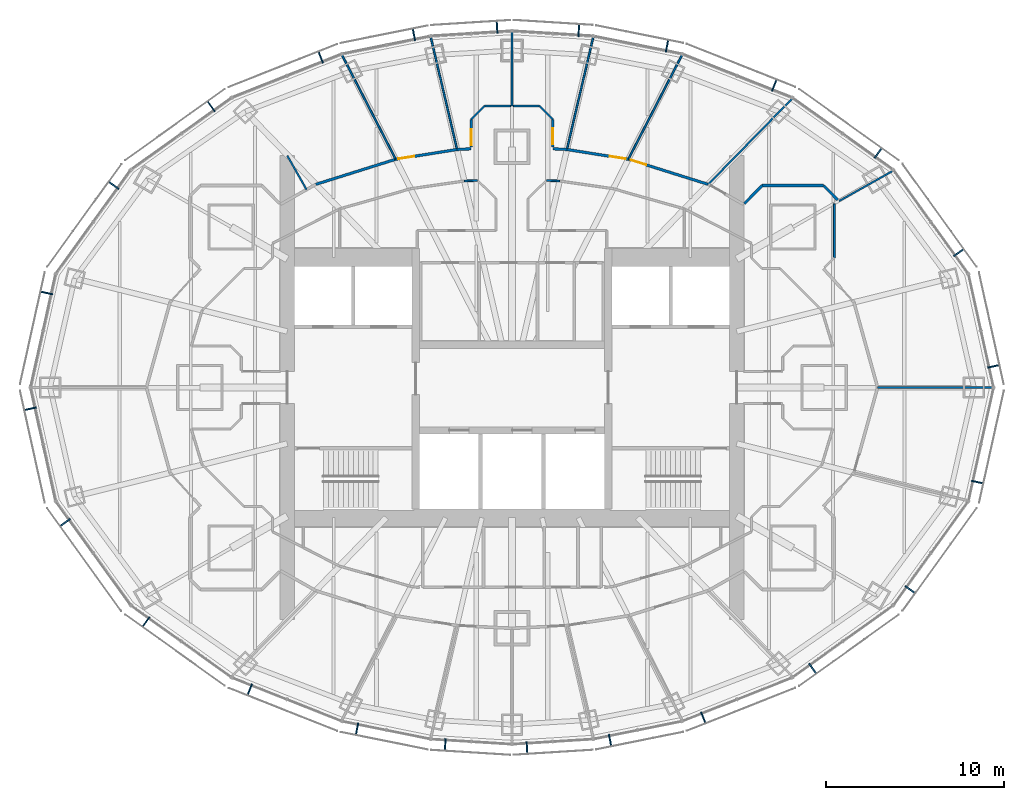
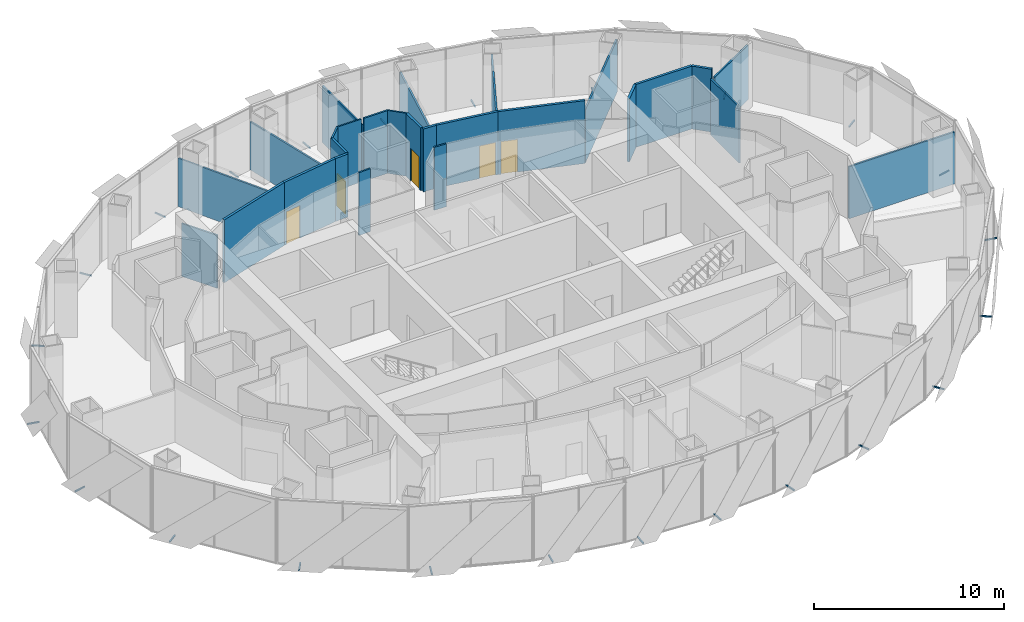
# One storey, part 15 of 18: 27 walls, 24 discrete accessories, 5 doors, 5 openings.
"""IFC4 building model written with IfcOpenShell, lengths in metres."""

from ifc_helpers import new_model, si_unit, direction, frame, frame_2d, origin, origin_2d, place, context, subcontext, project, spatial, rectangle, extrude, material, layer, layer_set, type_object, element, fill, save


model = new_model("IFC4")

# Units and contexts
model_context = context("Model", 3, precision=1e-05, world=origin(), true_north=direction((0.0, 1.0)))
body_context = subcontext(model_context, "Body", "Model", "MODEL_VIEW")
ifc_project = project(units=[si_unit("LENGTHUNIT", "METRE"), si_unit("AREAUNIT", "SQUARE_METRE"), si_unit("VOLUMEUNIT", "CUBIC_METRE"), si_unit("PLANEANGLEUNIT", "RADIAN"), si_unit("MASSUNIT", "GRAM", prefix="KILO")], contexts=[model_context])

# Site, building, storey
site_placement = place(None, origin())
site = spatial("IfcSite", under=ifc_project, at=site_placement, CompositionType="ELEMENT")
building_placement = place(site_placement, origin())
building = spatial("IfcBuilding", under=site, at=building_placement, Name="Lantaw Convention Tower", CompositionType="ELEMENT")
storey_placement = place(building_placement, frame((0.0, 0.0, 236.800048828125)))
storey = spatial("IfcBuildingStorey", under=building, at=storey_placement, Name="L55", CompositionType="ELEMENT", Elevation=236.800048828125)

# Wall, opening, door
ifc_material_1 = material(Name="Gypsum board on steel studs, fire rated", Category="steel")
ifc_layer_1 = layer(ifc_material_1, 0.14990234375)
ifc_layer_set_1 = layer_set([ifc_layer_1], Name="Corridor wall 150 EI 60")
wall_type_1 = type_object("IfcWallType", Name="Corridor wall 150 EI 60", PredefinedType="PARTITIONING", material=ifc_layer_set_1)
wall_1_placement = place(storey_placement, frame((11.000732421875, 11.3916015625, 0.0), z_axis=(0.0, 0.0, 1.0), x_axis=(-0.954031103669, 0.299707612903, 0.0)))
wall_1 = element("IfcWall", 1, at=wall_1_placement, inside=storey, type_object=wall_type_1, Name="Corridor wall 150", PredefinedType="PARTITIONING", context=body_context, shape_type="SweptSolid", body=[
    extrude(rectangle(XDim=4.6953125, YDim=0.14990234375, at=frame_2d((2.34765625, 0.0))), origin(), (0.0, 0.0, 1.0), 4.050048828125),
])
opening_1_placement = place(wall_1_placement, frame((3.645263671875, 0.0, 0.0)))
opening_1 = element("IfcOpeningElement", 2, at=opening_1_placement, cuts=wall_1, Name="Opening L55.32", PredefinedType="OPENING", context=body_context, shape_type="SweptSolid", body=[
    extrude(rectangle(XDim=0.89990234375, YDim=2.10009765625, at=frame_2d((0.449951171875, 1.050048828125))), frame((0.0, 0.0849609375, 0.0), z_axis=(0.0, -1.0, 0.0), x_axis=(1.0, 0.0, 0.0)), (0.0, 0.0, 1.0), 0.169921875),
])
ifc_material_2 = material(Name="Steel, fire rated", Category="steel")
door_type = type_object("IfcDoorType", Name="Office door 900 FD30", OperationType="SINGLE_SWING_LEFT", PredefinedType="DOOR", material=ifc_material_2)
door_1_placement = place(opening_1_placement, origin())
door_1 = element("IfcDoor", 3, at=door_1_placement, inside=storey, type_object=door_type, Name="Private office door", OperationType="SINGLE_SWING_LEFT", OverallHeight=2.10009765625, OverallWidth=0.89990234375, PredefinedType="DOOR", context=body_context, shape_type="SweptSolid", body=[
    extrude(rectangle(XDim=0.89990234375, YDim=2.10009765625, at=frame_2d((0.449951171875, 1.050048828125))), frame((0.0, 0.02490234375, 0.0), z_axis=(0.0, -1.0, 0.0), x_axis=(1.0, 0.0, 0.0)), (0.0, 0.0, 1.0), 0.050048828125),
])
fill(opening_1, door_1)

wall_2_placement = place(storey_placement, frame((6.521240234375, 12.798828125, 0.0), z_axis=(0.0, 0.0, 1.0), x_axis=(-0.987554093087, 0.157279729233, 0.0)))
wall_2 = element("IfcWall", 4, at=wall_2_placement, inside=storey, type_object=wall_type_1, Name="Corridor wall 150", PredefinedType="PARTITIONING", context=body_context, shape_type="SweptSolid", body=[
    extrude(rectangle(XDim=3.4833984375, YDim=0.14990234375, at=frame_2d((1.74169921875, 0.0))), origin(), (0.0, 0.0, 1.0), 4.050048828125),
])
opening_2_placement = place(wall_2_placement, frame((0.14990234375, 0.0, 0.0)))
opening_2 = element("IfcOpeningElement", 5, at=opening_2_placement, cuts=wall_2, Name="Opening L55.33", PredefinedType="OPENING", context=body_context, shape_type="SweptSolid", body=[
    extrude(rectangle(XDim=0.89990234375, YDim=2.10009765625, at=frame_2d((0.449951171875, 1.050048828125))), frame((0.0, 0.0849609375, 0.0), z_axis=(0.0, -1.0, 0.0), x_axis=(1.0, 0.0, 0.0)), (0.0, 0.0, 1.0), 0.169921875),
])
door_2_placement = place(opening_2_placement, origin())
door_2 = element("IfcDoor", 6, at=door_2_placement, inside=storey, type_object=door_type, Name="Private office door", OperationType="SINGLE_SWING_LEFT", OverallHeight=2.10009765625, OverallWidth=0.89990234375, PredefinedType="DOOR", context=body_context, shape_type="SweptSolid", body=[
    extrude(rectangle(XDim=0.89990234375, YDim=2.10009765625, at=frame_2d((0.449951171875, 1.050048828125))), frame((0.0, 0.02490234375, 0.0), z_axis=(0.0, -1.0, 0.0), x_axis=(1.0, 0.0, 0.0)), (0.0, 0.0, 1.0), 0.050048828125),
])
fill(opening_2, door_2)

wall_3_placement = place(storey_placement, frame((-3.081298828125, 13.3466796875, 0.0), z_axis=(0.0, 0.0, 1.0), x_axis=(-0.987554093087, -0.157279729233, 0.0)))
wall_3 = element("IfcWall", 7, at=wall_3_placement, inside=storey, type_object=wall_type_1, Name="Corridor wall 150", PredefinedType="PARTITIONING", context=body_context, shape_type="SweptSolid", body=[
    extrude(rectangle(XDim=3.4833984375, YDim=0.14990234375, at=frame_2d((1.74169921875, 0.0))), origin(), (0.0, 0.0, 1.0), 4.050048828125),
])
opening_3_placement = place(wall_3_placement, frame((2.433349609375, 0.0, 0.0)))
opening_3 = element("IfcOpeningElement", 8, at=opening_3_placement, cuts=wall_3, Name="Opening L55.36", PredefinedType="OPENING", context=body_context, shape_type="SweptSolid", body=[
    extrude(rectangle(XDim=0.89990234375, YDim=2.10009765625, at=frame_2d((0.449951171875, 1.050048828125))), frame((0.0, 0.0849609375, 0.0), z_axis=(0.0, -1.0, 0.0), x_axis=(1.0, 0.0, 0.0)), (0.0, 0.0, 1.0), 0.169921875),
])
door_3_placement = place(opening_3_placement, origin())
door_3 = element("IfcDoor", 9, at=door_3_placement, inside=storey, type_object=door_type, Name="Private office door", OperationType="SINGLE_SWING_LEFT", OverallHeight=2.10009765625, OverallWidth=0.89990234375, PredefinedType="DOOR", context=body_context, shape_type="SweptSolid", body=[
    extrude(rectangle(XDim=0.89990234375, YDim=2.10009765625, at=frame_2d((0.449951171875, 1.050048828125))), frame((0.0, 0.02490234375, 0.0), z_axis=(0.0, -1.0, 0.0), x_axis=(1.0, 0.0, 0.0)), (0.0, 0.0, 1.0), 0.050048828125),
])
fill(opening_3, door_3)

# Walls
wall_4_placement = place(storey_placement, frame((-6.521240234375, 12.798828125, 0.0), z_axis=(0.0, 0.0, 1.0), x_axis=(-0.954031103669, -0.299707612903, 0.0)))
element("IfcWall", 10, at=wall_4_placement, inside=storey, type_object=wall_type_1, Name="Corridor wall 150", PredefinedType="PARTITIONING", context=body_context, shape_type="SweptSolid", body=[
    extrude(rectangle(XDim=4.6953125, YDim=0.14990234375, at=frame_2d((2.34765625, 0.0))), origin(), (0.0, 0.0, 1.0), 4.050048828125),
])
for number, where, z_axis, x_axis, name in (
    (11, (3.081298828125, 13.3466796875, 0.0), (0.0, 0.0, 1.0), (-0.998768524691, 0.049612841959, 0.0), "Corridor wall 150"),
    (12, (-2.294921875, 13.3857421875, 0.0), (0.0, 0.0, 1.0), (-0.998768524691, -0.049612841959, 0.0), "Corridor wall 150"),
):
    element("IfcWall", number, at=place(storey_placement, frame(where, z_axis=z_axis, x_axis=x_axis)), inside=storey, type_object=wall_type_1, Name=name, PredefinedType="PARTITIONING", context=body_context, shape_type="SweptSolid", body=[
        extrude(rectangle(XDim=0.787353515625, YDim=0.14990234375, at=frame_2d((0.3935546875, 0.0))), origin(), (0.0, 0.0, 1.0), 4.050048828125),
    ])

# Wall, opening, door
wall_5_placement = place(storey_placement, frame((2.284912109375, 15.0322265625, 0.0), z_axis=(0.0, 0.0, 1.0), x_axis=(0.0, -1.0, 0.0)))
wall_5 = element("IfcWall", 13, at=wall_5_placement, inside=storey, type_object=wall_type_1, Name="Corridor wall 150", PredefinedType="PARTITIONING", context=body_context, shape_type="SweptSolid", body=[
    extrude(rectangle(XDim=1.544921875, YDim=0.14990234375, at=frame_2d((0.7724609375, 0.0))), origin(), (0.0, 0.0, 1.0), 4.050048828125),
])
opening_4_placement = place(wall_5_placement, frame((0.5, 0.0, 0.0)))
opening_4 = element("IfcOpeningElement", 14, at=opening_4_placement, cuts=wall_5, Name="Opening L55.34", PredefinedType="OPENING", context=body_context, shape_type="SweptSolid", body=[
    extrude(rectangle(XDim=0.89990234375, YDim=2.10009765625, at=frame_2d((0.449951171875, 1.050048828125))), frame((0.0, 0.0849609375, 0.0), z_axis=(0.0, -1.0, 0.0), x_axis=(1.0, 0.0, 0.0)), (0.0, 0.0, 1.0), 0.169921875),
])
door_4_placement = place(opening_4_placement, origin())
door_4 = element("IfcDoor", 15, at=door_4_placement, inside=storey, type_object=door_type, Name="Private office door", OperationType="SINGLE_SWING_LEFT", OverallHeight=2.10009765625, OverallWidth=0.89990234375, PredefinedType="DOOR", context=body_context, shape_type="SweptSolid", body=[
    extrude(rectangle(XDim=0.89990234375, YDim=2.10009765625, at=frame_2d((0.449951171875, 1.050048828125))), frame((0.0, 0.02490234375, 0.0), z_axis=(0.0, -1.0, 0.0), x_axis=(1.0, 0.0, 0.0)), (0.0, 0.0, 1.0), 0.050048828125),
])
fill(opening_4, door_4)

wall_6_placement = place(storey_placement, frame((-2.284912109375, 13.4873046875, 0.0), z_axis=(0.0, 0.0, 1.0), x_axis=(0.0, 1.0, 0.0)))
wall_6 = element("IfcWall", 16, at=wall_6_placement, inside=storey, type_object=wall_type_1, Name="Corridor wall 150", PredefinedType="PARTITIONING", context=body_context, shape_type="SweptSolid", body=[
    extrude(rectangle(XDim=1.544921875, YDim=0.14990234375, at=frame_2d((0.7724609375, 0.0))), origin(), (0.0, 0.0, 1.0), 4.050048828125),
])
opening_5_placement = place(wall_6_placement, frame((0.10009765625, 0.0, 0.0)))
opening_5 = element("IfcOpeningElement", 17, at=opening_5_placement, cuts=wall_6, Name="Opening L55.35", PredefinedType="OPENING", context=body_context, shape_type="SweptSolid", body=[
    extrude(rectangle(XDim=0.89990234375, YDim=2.10009765625, at=frame_2d((0.449951171875, 1.050048828125))), frame((0.0, 0.0849609375, 0.0), z_axis=(0.0, -1.0, 0.0), x_axis=(1.0, 0.0, 0.0)), (0.0, 0.0, 1.0), 0.169921875),
])
door_5_placement = place(opening_5_placement, origin())
door_5 = element("IfcDoor", 18, at=door_5_placement, inside=storey, type_object=door_type, Name="Private office door", OperationType="SINGLE_SWING_LEFT", OverallHeight=2.10009765625, OverallWidth=0.89990234375, PredefinedType="DOOR", context=body_context, shape_type="SweptSolid", body=[
    extrude(rectangle(XDim=0.89990234375, YDim=2.10009765625, at=frame_2d((0.449951171875, 1.050048828125))), frame((0.0, 0.02490234375, 0.0), z_axis=(0.0, -1.0, 0.0), x_axis=(1.0, 0.0, 0.0)), (0.0, 0.0, 1.0), 0.050048828125),
])
fill(opening_5, door_5)

# Walls
wall_7_placement = place(storey_placement, frame((13.035888671875, 10.318603515625, 0.0), z_axis=(0.0, 0.0, 1.0), x_axis=(0.701113567316, 0.713049623606, 0.0)))
element("IfcWall", 19, at=wall_7_placement, inside=storey, type_object=wall_type_1, Name="Corridor wall 150", PredefinedType="PARTITIONING", context=body_context, shape_type="SweptSolid", body=[
    extrude(rectangle(XDim=1.411376953125, YDim=0.14990234375, at=frame_2d((0.70556640625, 0.0))), origin(), (0.0, 0.0, 1.0), 4.050048828125),
])
wall_8_placement = place(storey_placement, frame((14.025390625, 11.324951171875, 0.0), z_axis=(0.0, 0.0, 1.0), x_axis=(1.0, 0.0, 0.0)))
element("IfcWall", 20, at=wall_8_placement, inside=storey, type_object=wall_type_1, Name="Corridor wall 150", PredefinedType="PARTITIONING", context=body_context, shape_type="SweptSolid", body=[
    extrude(rectangle(XDim=3.44921875, YDim=0.14990234375, at=frame_2d((1.724609375, 0.0))), origin(), (0.0, 0.0, 1.0), 4.050048828125),
])
wall_9_placement = place(storey_placement, frame((17.474609375, 11.324951171875, 0.0), z_axis=(0.0, 0.0, 1.0), x_axis=(0.699453593529, -0.714678018761, 0.0)))
element("IfcWall", 21, at=wall_9_placement, inside=storey, type_object=wall_type_1, Name="Corridor wall 150", PredefinedType="PARTITIONING", context=body_context, shape_type="SweptSolid", body=[
    extrude(rectangle(XDim=1.12255859375, YDim=0.14990234375, at=frame_2d((0.561279296875, 0.0))), origin(), (0.0, 0.0, 1.0), 4.050048828125),
])
ifc_material_3 = material(Name="Gypsum board on steel studs, acoustic", Category="steel")
ifc_layer_2 = layer(ifc_material_3, 0.10009765625)
ifc_layer_set_2 = layer_set([ifc_layer_2], Name="Office partition 100")
wall_type_2 = type_object("IfcWallType", Name="Office partition 100", PredefinedType="PARTITIONING", material=ifc_layer_set_2)
wall_10_placement = place(storey_placement, frame((26.944091796875, 0.0, 0.0), z_axis=(0.0, 0.0, 1.0), x_axis=(-1.0, 0.0, 0.0)))
element("IfcWall", 22, at=wall_10_placement, inside=storey, type_object=wall_type_2, Name="Office partition 100", PredefinedType="PARTITIONING", context=body_context, shape_type="SweptSolid", body=[
    extrude(rectangle(XDim=6.444091796875, YDim=0.10009765625, at=frame_2d((3.22216796875, 0.0))), origin(), (0.0, 0.0, 1.0), 3.348876953125),
])
wall_11_placement = place(storey_placement, frame((15.70947265625, 16.19873046875, 0.0), z_axis=(0.0, 0.0, 1.0), x_axis=(-0.699758297028, -0.71437967898, 0.0)))
element("IfcWall", 23, at=wall_11_placement, inside=storey, type_object=wall_type_2, Name="Office partition 100", PredefinedType="PARTITIONING", context=body_context, shape_type="SweptSolid", body=[
    extrude(rectangle(XDim=6.72900390625, YDim=0.10009765625, at=frame_2d((3.364501953125, 0.0))), origin(), (0.0, 0.0, 1.0), 3.409912109375),
])
wall_12_placement = place(storey_placement, frame((9.53955078125, 18.650390625, 0.0), z_axis=(0.0, 0.0, 1.0), x_axis=(-0.458420942987, -0.888735190611, 0.0)))
element("IfcWall", 24, at=wall_12_placement, inside=storey, type_object=wall_type_2, Name="Office partition 100", PredefinedType="PARTITIONING", context=body_context, shape_type="SweptSolid", body=[
    extrude(rectangle(XDim=6.584228515625, YDim=0.10009765625, at=frame_2d((3.2919921875, 0.0))), origin(), (0.0, 0.0, 1.0), 3.107666015625),
])
for number, where, z_axis, x_axis, name in (
    (25, (4.5556640625, 19.65673828125, 0.0), (0.0, 0.0, 1.0), (-0.227524978141, -0.973772244584, 0.0), "Office partition 100"),
    (26, (-4.5556640625, 19.65673828125, 0.0), (0.0, 0.0, 1.0), (0.227524978141, -0.973772244584, 0.0), "Office partition 100"),
):
    element("IfcWall", number, at=place(storey_placement, frame(where, z_axis=z_axis, x_axis=x_axis)), inside=storey, type_object=wall_type_2, Name=name, PredefinedType="PARTITIONING", context=body_context, shape_type="SweptSolid", body=[
        extrude(rectangle(XDim=6.47998046875, YDim=0.10009765625, at=frame_2d((3.239990234375, 0.0))), origin(), (0.0, 0.0, 1.0), 3.107666015625),
    ])
wall_13_placement = place(storey_placement, frame((-9.53955078125, 18.650390625, 0.0), z_axis=(0.0, 0.0, 1.0), x_axis=(0.458420942987, -0.888735190611, 0.0)))
element("IfcWall", 27, at=wall_13_placement, inside=storey, type_object=wall_type_2, Name="Office partition 100", PredefinedType="PARTITIONING", context=body_context, shape_type="SweptSolid", body=[
    extrude(rectangle(XDim=6.584228515625, YDim=0.10009765625, at=frame_2d((3.2919921875, 0.0))), origin(), (0.0, 0.0, 1.0), 3.107666015625),
])
wall_14_placement = place(storey_placement, frame((-12.60009765625, 13.0, 0.0), z_axis=(0.0, 0.0, 1.0), x_axis=(0.493589554261, -0.869694976371, 0.0)))
element("IfcWall", 28, at=wall_14_placement, inside=storey, type_object=wall_type_2, Name="Office partition 100", PredefinedType="PARTITIONING", context=body_context, shape_type="SweptSolid", body=[
    extrude(rectangle(XDim=2.188232421875, YDim=0.10009765625, at=frame_2d((1.09423828125, 0.0))), origin(), (0.0, 0.0, 1.0), 3.409912109375),
])
wall_15_placement = place(storey_placement, frame((0.0, 19.94482421875, 0.0), z_axis=(0.0, 0.0, 1.0), x_axis=(0.0, -1.0, 0.0)))
element("IfcWall", 29, at=wall_15_placement, inside=storey, type_object=wall_type_2, Name="Office partition 100", PredefinedType="PARTITIONING", context=body_context, shape_type="SweptSolid", body=[
    extrude(rectangle(XDim=4.14990234375, YDim=0.10009765625, at=frame_2d((2.074951171875, 0.0))), origin(), (0.0, 0.0, 1.0), 3.64599609375),
])
for number, where, z_axis, x_axis, name in (
    (30, (1.944091796875, 11.612548828125, 0.0), (0.0, 0.0, 1.0), (0.99899525873, -0.04481599085, 0.0), "Office partition 100"),
    (31, (-2.67333984375, 11.579833984375, 0.0), (0.0, 0.0, 1.0), (0.99899525873, 0.04481599085, 0.0), "Office partition 100"),
):
    element("IfcWall", number, at=place(storey_placement, frame(where, z_axis=z_axis, x_axis=x_axis)), inside=storey, type_object=wall_type_2, Name=name, PredefinedType="PARTITIONING", context=body_context, shape_type="SweptSolid", body=[
        extrude(rectangle(XDim=0.72998046875, YDim=0.10009765625, at=frame_2d((0.364990234375, 0.0))), origin(), (0.0, 0.0, 1.0), 4.050048828125),
    ])
wall_16_placement = place(storey_placement, frame((0.078125, 15.784912109375, 0.0), z_axis=(0.0, 0.0, 1.0), x_axis=(1.0, 0.0, 0.0)))
element("IfcWall", 32, at=wall_16_placement, inside=storey, type_object=wall_type_2, Name="Office partition 100", PredefinedType="PARTITIONING", context=body_context, shape_type="SweptSolid", body=[
    extrude(rectangle(XDim=1.4541015625, YDim=0.10009765625, at=frame_2d((0.72705078125, 0.0))), origin(), (0.0, 0.0, 1.0), 4.050048828125),
])
for number, where, z_axis, x_axis, name in (
    (33, (1.5322265625, 15.784912109375, 0.0), (0.0, 0.0, 1.0), (0.707106781187, -0.707106781187, 0.0), "Office partition 100"),
    (34, (-2.284912109375, 15.0322265625, 0.0), (0.0, 0.0, 1.0), (0.707106781187, 0.707106781187, 0.0), "Office partition 100"),
):
    element("IfcWall", number, at=place(storey_placement, frame(where, z_axis=z_axis, x_axis=x_axis)), inside=storey, type_object=wall_type_2, Name=name, PredefinedType="PARTITIONING", context=body_context, shape_type="SweptSolid", body=[
        extrude(rectangle(XDim=1.064453125, YDim=0.10009765625, at=frame_2d((0.5322265625, 0.0))), origin(), (0.0, 0.0, 1.0), 4.050048828125),
    ])
wall_17_placement = place(storey_placement, frame((-1.5322265625, 15.784912109375, 0.0), z_axis=(0.0, 0.0, 1.0), x_axis=(1.0, 0.0, 0.0)))
element("IfcWall", 35, at=wall_17_placement, inside=storey, type_object=wall_type_2, Name="Office partition 100", PredefinedType="PARTITIONING", context=body_context, shape_type="SweptSolid", body=[
    extrude(rectangle(XDim=1.4541015625, YDim=0.10009765625, at=frame_2d((0.72705078125, 0.0))), origin(), (0.0, 0.0, 1.0), 4.050048828125),
])
wall_18_placement = place(storey_placement, frame((21.3583984375, 12.149658203125, 0.0), z_axis=(0.0, 0.0, 1.0), x_axis=(-0.871730019583, -0.489986502832, 0.0)))
element("IfcWall", 36, at=wall_18_placement, inside=storey, type_object=wall_type_2, Name="Office partition 100", PredefinedType="PARTITIONING", context=body_context, shape_type="SweptSolid", body=[
    extrude(rectangle(XDim=3.4599609375, YDim=0.10009765625, at=frame_2d((1.72998046875, 0.0))), origin(), (0.0, 0.0, 1.0), 3.524169921875),
])
wall_19_placement = place(storey_placement, frame((18.074951171875, 10.30419921875, 0.0), z_axis=(0.0, 0.0, 1.0), x_axis=(0.0, -1.0, 0.0)))
element("IfcWall", 37, at=wall_19_placement, inside=storey, type_object=wall_type_2, Name="Office partition 100", PredefinedType="PARTITIONING", context=body_context, shape_type="SweptSolid", body=[
    extrude(rectangle(XDim=3.02880859375, YDim=0.10009765625, at=frame_2d((1.514404296875, 0.0))), origin(), (0.0, 0.0, 1.0), 3.600341796875),
])

# Discrete accessories
for number, where, z_axis, x_axis, name in (
    (38, (27.002197265625, 1.189453125, -0.114990234375), (0.0, 0.0, 1.0), (-0.215891333626, 0.976417396437, 0.0), "Screen bracket"),
    (39, (25.05419921875, 7.564453125, -0.114990234375), (0.0, 0.0, 1.0), (-0.585157643865, 0.810919559405, 0.0), "Screen bracket"),
    (40, (20.524169921875, 13.14453125, -0.114990234375), (0.0, 0.0, 1.0), (-0.813672540482, 0.581323487281, 0.0), "Screen bracket"),
    (41, (14.707763671875, 16.94140625, -0.114990234375), (0.0, 0.0, 1.0), (-0.929761533743, 0.368162315252, 0.0), "Screen bracket"),
    (42, (8.68896484375, 19.145751953125, -0.114990234375), (0.0, 0.0, 1.0), (-0.980366679695, 0.197183095987, 0.0), "Screen bracket"),
    (43, (3.743896484375, 20.024169921875, -0.114990234375), (0.0, 0.0, 1.0), (-0.998028774865, 0.062757983884, 0.0), "Screen bracket"),
    (44, (-0.83984375, 20.206787109375, -0.114990234375), (0.0, 0.0, 1.0), (-0.998028774865, -0.062757983884, 0.0), "Screen bracket"),
    (45, (-5.49853515625, 19.78759765625, -0.114990234375), (0.0, 0.0, 1.0), (-0.980366679695, -0.197183095987, 0.0), "Screen bracket"),
    (46, (-10.7255859375, 18.518310546875, -0.114990234375), (0.0, 0.0, 1.0), (-0.929761533743, -0.368162315252, 0.0), "Screen bracket"),
    (47, (-16.863525390625, 15.759765625, -0.114990234375), (0.0, 0.0, 1.0), (-0.813672540482, -0.581323487281, 0.0), "Screen bracket"),
    (48, (-22.333251953125, 11.3349609375, -0.114990234375), (0.0, 0.0, 1.0), (-0.585157643865, -0.810919559405, 0.0), "Screen bracket"),
    (49, (-26.0927734375, 5.302490234375, -0.114990234375), (0.0, 0.0, 1.0), (-0.215891333626, -0.976417396437, 0.0), "Screen bracket"),
    (50, (-27.002197265625, -1.189453125, -0.114990234375), (0.0, 0.0, 1.0), (0.215891333626, -0.976417396437, 0.0), "Screen bracket"),
    (51, (-25.05419921875, -7.564453125, -0.114990234375), (0.0, 0.0, 1.0), (0.585157643865, -0.810919559405, 0.0), "Screen bracket"),
    (52, (-20.524169921875, -13.14453125, -0.114990234375), (0.0, 0.0, 1.0), (0.813672540482, -0.581323487281, 0.0), "Screen bracket"),
    (53, (-14.707763671875, -16.94140625, -0.114990234375), (0.0, 0.0, 1.0), (0.929761533743, -0.368162315252, 0.0), "Screen bracket"),
    (54, (-8.68896484375, -19.145751953125, -0.114990234375), (0.0, 0.0, 1.0), (0.980366679695, -0.197183095987, 0.0), "Screen bracket"),
    (55, (-3.743896484375, -20.024169921875, -0.114990234375), (0.0, 0.0, 1.0), (0.998028774865, -0.062757983884, 0.0), "Screen bracket"),
    (56, (0.83984375, -20.206787109375, -0.114990234375), (0.0, 0.0, 1.0), (0.998028774865, 0.062757983884, 0.0), "Screen bracket"),
    (57, (5.49853515625, -19.78759765625, -0.114990234375), (0.0, 0.0, 1.0), (0.980366679695, 0.197183095987, 0.0), "Screen bracket"),
    (58, (10.7255859375, -18.518310546875, -0.114990234375), (0.0, 0.0, 1.0), (0.929761533743, 0.368162315252, 0.0), "Screen bracket"),
    (59, (16.863525390625, -15.759765625, -0.114990234375), (0.0, 0.0, 1.0), (0.813672540482, 0.581323487281, 0.0), "Screen bracket"),
    (60, (22.333251953125, -11.3349609375, -0.114990234375), (0.0, 0.0, 1.0), (0.585157643865, 0.810919559405, 0.0), "Screen bracket"),
    (61, (26.0927734375, -5.302490234375, -0.114990234375), (0.0, 0.0, 1.0), (0.215891333626, 0.976417396437, 0.0), "Screen bracket"),
):
    element("IfcDiscreteAccessory", number, at=place(storey_placement, frame(where, z_axis=z_axis, x_axis=x_axis)), inside=storey, Name=name, PredefinedType="BRACKET", context=body_context, shape_type="SweptSolid", body=[
        extrude(rectangle(XDim=0.080078125, YDim=0.68798828125, at=origin_2d()), origin(), (0.0, 0.0, 1.0), 0.080078125),
    ])

save(model, "model.ifc")
